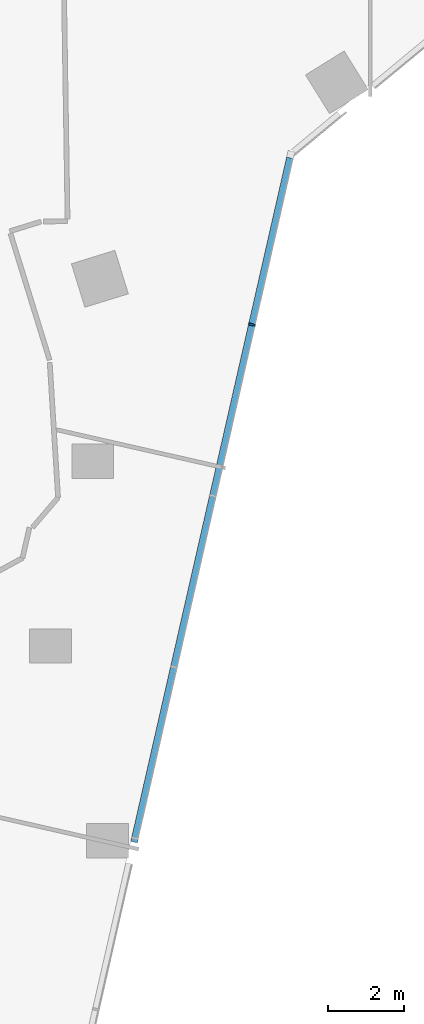
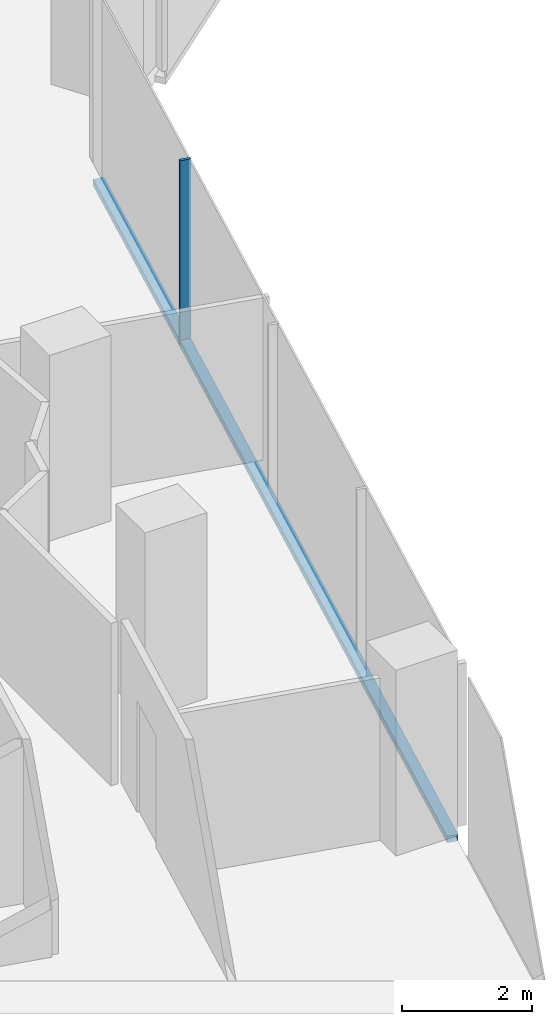
# One storey, part 6 of 24: 2 members, 1 element without a shape of its own.
"""IFC4 building model written with IfcOpenShell, lengths in metres."""

from ifc_helpers import new_model, si_unit, direction, frame, origin, origin_2d, place, context, subcontext, project, spatial, rectangle, extrude, material, material_profile, profile_set, type_object, element, aggregate, save


model = new_model("IFC4")

# Units and contexts
model_context = context("Model", 3, precision=1e-05, world=origin(), true_north=direction((0.0, 1.0)))
body_context = subcontext(model_context, "Body", "Model", "MODEL_VIEW")
ifc_project = project(units=[si_unit("LENGTHUNIT", "METRE"), si_unit("AREAUNIT", "SQUARE_METRE"), si_unit("VOLUMEUNIT", "CUBIC_METRE"), si_unit("PLANEANGLEUNIT", "RADIAN"), si_unit("MASSUNIT", "GRAM", prefix="KILO")], contexts=[model_context])

# Site, building, storey
site_placement = place(None, origin())
site = spatial("IfcSite", under=ifc_project, at=site_placement, CompositionType="ELEMENT")
building_placement = place(site_placement, origin())
building = spatial("IfcBuilding", under=site, at=building_placement, Name="Orlundy Tower", CompositionType="ELEMENT")
storey_placement = place(building_placement, frame((0.0, 0.0, 177.60009765625)))
storey = spatial("IfcBuildingStorey", under=building, at=storey_placement, Name="L46", CompositionType="ELEMENT", Elevation=177.60009765625)

# Curtain wall, members
ifc_material_1 = material(Name="Aluminium bronze anodised", Category="aluminium")
curtain_wall_type = type_object("IfcCurtainWallType", Name="CW1 wall", PredefinedType="NOTDEFINED", material=ifc_material_1)
curtain_wall_placement = place(storey_placement, origin())
curtain_wall = element("IfcCurtainWall", 1, at=curtain_wall_placement, inside=storey, type_object=curtain_wall_type, Name="CW1 run 018", PredefinedType="NOTDEFINED")
ifc_material_2 = material(Name="Aluminium bronze anodised", Category="aluminium")
ifc_material_profile_1 = material_profile(ifc_material_2, rectangle(XDim=0.179931640625, YDim=0.050048828125, at=origin_2d()), Name="CW1 mullion 50x180")
ifc_profile_set_1 = profile_set([ifc_material_profile_1], Name="Aluminium bronze anodised")
member_type_1 = type_object("IfcMemberType", Name="CW1 mullion 50x180", PredefinedType="MULLION", material=ifc_profile_set_1)
member_1_placement = place(storey_placement, frame((13.4033203125, -31.613037109375, -0.420166015625), z_axis=(0.0, 0.0, 1.0), x_axis=(0.975022425628, -0.222106437373, 0.0)))
member_1 = element("IfcMember", 2, at=member_1_placement, type_object=member_type_1, Name="CW1 mullion 44", PredefinedType="MULLION", context=body_context, shape_type="SweptSolid", body=[
    extrude(rectangle(XDim=0.179931640625, YDim=0.050048828125, at=origin_2d()), origin(), (0.0, 0.0, 1.0), 3.5),
])
ifc_material_3 = material(Name="Aluminium bronze anodised", Category="aluminium")
ifc_material_profile_2 = material_profile(ifc_material_3, rectangle(XDim=0.179931640625, YDim=0.1201171875, at=origin_2d()), Name="CW1 transom 180x120")
ifc_profile_set_2 = profile_set([ifc_material_profile_2], Name="Aluminium bronze anodised")
member_type_2 = type_object("IfcMemberType", Name="CW1 transom 180x120", PredefinedType="USERDEFINED", material=ifc_profile_set_2)
member_2_placement = place(storey_placement, frame((14.405029296875, -27.215576171875, -0.360107421875), z_axis=(-0.222113084939, -0.975020911314, 0.0), x_axis=(0.975020911314, -0.222113084939, 0.0)))
member_2 = element("IfcMember", 3, at=member_2_placement, type_object=member_type_2, Name="CW1 transom", ObjectType="TRANSOM", PredefinedType="USERDEFINED", context=body_context, shape_type="SweptSolid", body=[
    extrude(rectangle(XDim=0.179931640625, YDim=0.1201171875, at=origin_2d()), origin(), (0.0, 0.0, 1.0), 18.509033203125),
])
aggregate(curtain_wall, [member_1, member_2])

save(model, "model.ifc")
